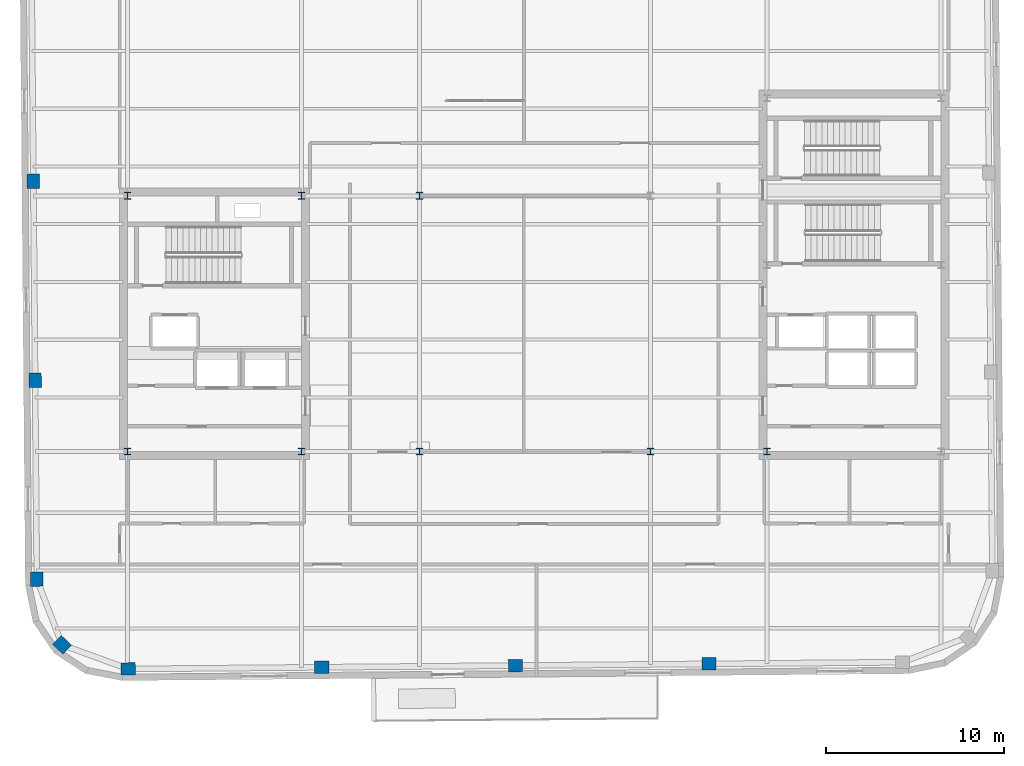
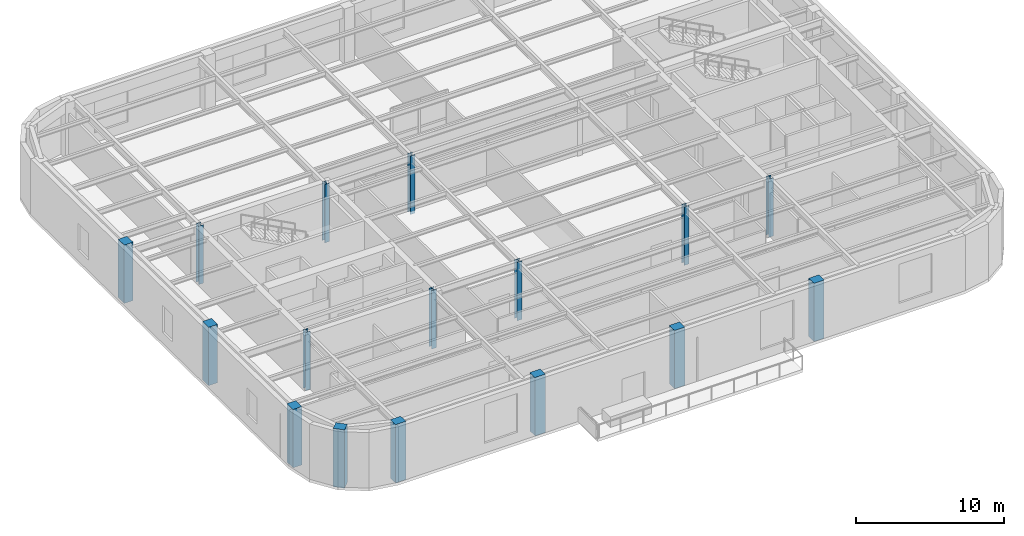
# One storey, part 1 of 13: 16 columns.
"""IFC4 building model written with IfcOpenShell, lengths in metres."""

from ifc_helpers import new_model, si_unit, direction, frame, origin, origin_2d, place, context, subcontext, project, spatial, rectangle, i_section, extrude, material, material_profile, profile_set, type_object, element, save


model = new_model("IFC4")

# Units and contexts
model_context = context("Model", 3, precision=1e-05, world=origin(), true_north=direction((0.0, 1.0)))
body_context = subcontext(model_context, "Body", "Model", "MODEL_VIEW")
ifc_project = project(units=[si_unit("LENGTHUNIT", "METRE"), si_unit("AREAUNIT", "SQUARE_METRE"), si_unit("VOLUMEUNIT", "CUBIC_METRE"), si_unit("PLANEANGLEUNIT", "RADIAN"), si_unit("MASSUNIT", "GRAM", prefix="KILO")], contexts=[model_context])

# Site, building, storey
site_placement = place(None, origin())
site = spatial("IfcSite", under=ifc_project, at=site_placement, CompositionType="ELEMENT")
building_placement = place(site_placement, origin())
building = spatial("IfcBuilding", under=site, at=building_placement, Name="Kolvaren Arena Tower", CompositionType="ELEMENT")
storey_placement = place(building_placement, frame((0.0, 0.0, 312.39990234375)))
storey = spatial("IfcBuildingStorey", under=building, at=storey_placement, Name="L77", CompositionType="ELEMENT", Elevation=312.39990234375)

# Columns
ifc_material_1 = material(Name="Precast concrete C50/60", Category="concrete")
ifc_material_profile_1 = material_profile(ifc_material_1, rectangle(XDim=0.800048828125, YDim=0.699951171875, at=origin_2d()), Name="RC-800x700")
ifc_profile_set_1 = profile_set([ifc_material_profile_1], Name="Precast concrete C50/60")
column_type_1 = type_object("IfcColumnType", Name="EXCOL-Z5", PredefinedType="COLUMN", material=ifc_profile_set_1)
for number, where, z_axis, x_axis, name in (
    (1, (14.591796875, 7.210693359375, -0.239990234375), (0.0, 0.0, 1.0), (0.999961923064, 0.008726535498, 0.0), "Exoskeleton Perimeter Column 01 (L77)"),
    (2, (25.491455078125, 7.3056640625, -0.239990234375), (0.0, 0.0, 1.0), (0.999961923064, 0.008726535498, 0.0), "Exoskeleton Perimeter Column 02 (L77)"),
    (3, (36.39111328125, 7.40087890625, -0.239990234375), (0.0, 0.0, 1.0), (0.999961923064, 0.008726535498, 0.0), "Exoskeleton Perimeter Column 03 (L77)"),
    (4, (47.290771484375, 7.49609375, -0.239990234375), (0.0, 0.0, 1.0), (0.999961923064, 0.008726535498, 0.0), "Exoskeleton Perimeter Column 04 (L77)"),
    (5, (9.252197265625, 34.6650390625, -0.239990234375), (0.0, 0.0, 1.0), (-0.008726535498, 0.999961923064, 0.0), "Exoskeleton Perimeter Column 19 (L77)"),
    (6, (9.349853515625, 23.465576171875, -0.239990234375), (0.0, 0.0, 1.0), (-0.008726535498, 0.999961923064, 0.0), "Exoskeleton Perimeter Column 20 (L77)"),
    (7, (9.447509765625, 12.265869140625, -0.239990234375), (0.0, 0.0, 1.0), (-0.008726535498, 0.999961923064, 0.0), "Exoskeleton Perimeter Column 21 (L77)"),
    (8, (10.87109375, 8.5693359375, -0.239990234375), (0.0, 0.0, 1.0), (-0.713250449154, 0.7009092643, 0.0), "Exoskeleton Perimeter Column 22 (L77)"),
):
    element("IfcColumn", number, at=place(storey_placement, frame(where, z_axis=z_axis, x_axis=x_axis)), inside=storey, type_object=column_type_1, Name=name, PredefinedType="COLUMN", context=body_context, shape_type="SweptSolid", body=[
        extrude(rectangle(XDim=0.800048828125, YDim=0.699951171875, at=origin_2d()), origin(), (0.0, 0.0, 1.0), 4.800048828125),
    ])
ifc_material_2 = material(Name="Steel ASTM A913 Grade 65", Category="steel")
ifc_material_profile_2 = material_profile(ifc_material_2, i_section(OverallWidth=0.3740234375, OverallDepth=0.3720703125, WebThickness=0.016357421875, FlangeThickness=0.026123046875, FilletRadius=0.02001953125, at=origin_2d()), Name="W360x196")
ifc_profile_set_2 = profile_set([ifc_material_profile_2], Name="Steel ASTM A913 Grade 65")
column_type_2 = type_object("IfcColumnType", Name="SCOL-Z5", PredefinedType="COLUMN", material=ifc_profile_set_2)
for number, where, z_axis, x_axis, name in (
    (9, (14.550048828125, 19.449951171875, -0.239990234375), (0.0, 0.0, 1.0), (1.0, 0.0, 0.0), "Core Boundary Column WC-SW (L77)"),
    (10, (24.35009765625, 19.449951171875, -0.239990234375), (0.0, 0.0, 1.0), (1.0, 0.0, 0.0), "Core Boundary Column WC-SE (L77)"),
    (11, (14.550048828125, 33.85009765625, -0.239990234375), (0.0, 0.0, 1.0), (1.0, 0.0, 0.0), "Core Boundary Column WC-NW (L77)"),
    (12, (24.35009765625, 33.85009765625, -0.239990234375), (0.0, 0.0, 1.0), (1.0, 0.0, 0.0), "Core Boundary Column WC-NE (L77)"),
    (13, (50.550048828125, 19.449951171875, -0.239990234375), (0.0, 0.0, 1.0), (1.0, 0.0, 0.0), "Core Boundary Column EC-SW (L77)"),
    (14, (31.0, 19.449951171875, -0.239990234375), (0.0, 0.0, 1.0), (1.0, 0.0, 0.0), "Interior Gravity Column TC-SW (L77)"),
    (15, (44.0, 19.449951171875, -0.239990234375), (0.0, 0.0, 1.0), (1.0, 0.0, 0.0), "Interior Gravity Column TC-SE (L77)"),
    (16, (31.0, 33.85009765625, -0.239990234375), (0.0, 0.0, 1.0), (1.0, 0.0, 0.0), "Interior Gravity Column TC-NW (L77)"),
):
    element("IfcColumn", number, at=place(storey_placement, frame(where, z_axis=z_axis, x_axis=x_axis)), inside=storey, type_object=column_type_2, Name=name, PredefinedType="COLUMN", context=body_context, shape_type="SweptSolid", body=[
        extrude(i_section(OverallWidth=0.3740234375, OverallDepth=0.3720703125, WebThickness=0.016357421875, FlangeThickness=0.026123046875, FilletRadius=0.02001953125, at=origin_2d()), origin(), (0.0, 0.0, 1.0), 4.800048828125),
    ])

save(model, "model.ifc")
